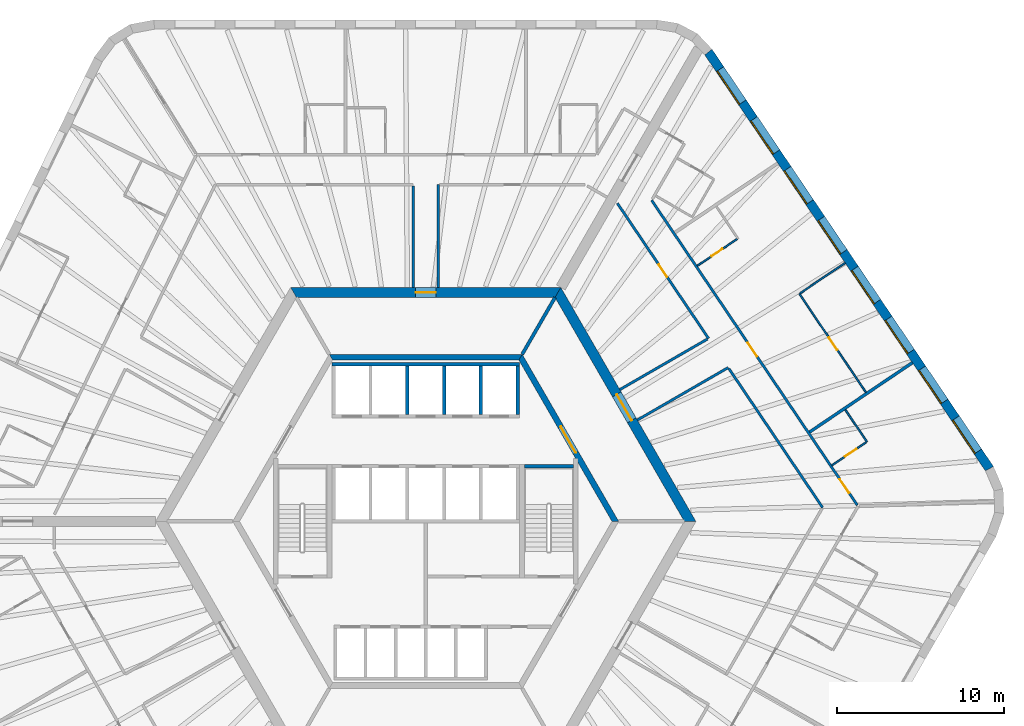
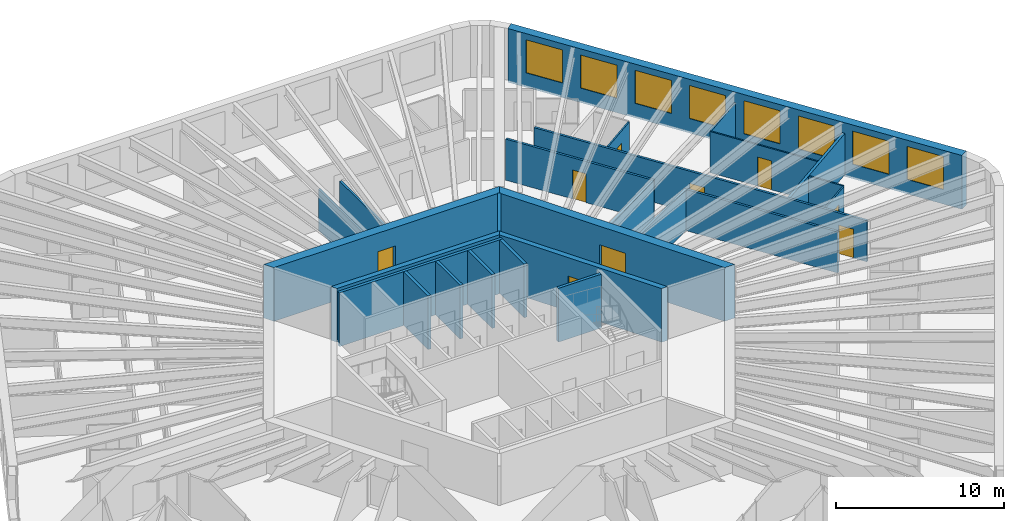
# One storey, part 9 of 11: 25 walls, 9 doors, 8 windows, 17 openings.
"""IFC4 building model written with IfcOpenShell, lengths in metres."""

import ifcopenshell
import ifcopenshell.guid

model = None  # the IFC model being written
_history = None  # IfcOwnerHistory: only IFC2X3 demands one
_inside = {}  # id of a spatial element -> (the spatial element, [elements in it])
_under = {}  # id of a project, library or spatial element -> (it, [spatial elements below it])
_declared = {}  # id of a project -> (the project, [libraries it declares])
_typed = {}  # id of a type object -> (the type object, [elements of that type])
_made_of = {}  # id of a material, layer set ... -> (it, [elements and type objects made of it])


def new_model(schema):
    """Start an empty IFC model of exactly this schema.

    Asked for "IFC4X3", IfcOpenShell would pick the latest addendum, in which some entities
    have other attributes; the version numbers below select the first issue.
    IFC2X3 requires an IfcOwnerHistory on every rooted entity: one is made here for all.
    """
    global model, _history
    if schema == "IFC4X3":
        model = ifcopenshell.file(schema_version=(4, 3, 0, 0))
    else:
        model = ifcopenshell.file(schema=schema)
    _inside.clear()
    _under.clear()
    _declared.clear()
    _typed.clear()
    _made_of.clear()
    _history = None
    if model.schema == "IFC2X3":
        org = make("IfcOrganization", Name="unknown")
        user = make(
            "IfcPersonAndOrganization",
            ThePerson=make("IfcPerson", FamilyName="unknown"),
            TheOrganization=org,
        )
        app = make(
            "IfcApplication",
            ApplicationDeveloper=org,
            Version="unknown",
            ApplicationFullName="unknown",
            ApplicationIdentifier="unknown",
        )
        _history = make(
            "IfcOwnerHistory",
            OwningUser=user,
            OwningApplication=app,
            ChangeAction="ADDED",
            CreationDate=0,
        )
    return model


def make(cls, **values):
    """One entity of the class cls with the attributes given. An attribute that is None is left unset."""
    return model.create_entity(
        cls, **{name: value for name, value in values.items() if value is not None}
    )


def rooted(cls, **values):
    """An entity with a GlobalId (a new one), such as an element, a storey or a relation."""
    return make(cls, GlobalId=ifcopenshell.guid.new(), OwnerHistory=_history, **values)


def si_unit(unit_type, name, prefix=None):
    """IfcSIUnit, for example si_unit("LENGTHUNIT", "METRE", prefix="MILLI")."""
    return make("IfcSIUnit", UnitType=unit_type, Prefix=prefix, Name=name)


def assignment(units):
    """IfcUnitAssignment: the units of a project."""
    return None if units is None else make("IfcUnitAssignment", Units=units)


def point(xyz):
    """IfcCartesianPoint."""
    return None if xyz is None else make("IfcCartesianPoint", Coordinates=xyz)


def direction(xyz):
    """IfcDirection."""
    return None if xyz is None else make("IfcDirection", DirectionRatios=xyz)


def frame(location, z_axis=None, x_axis=None):
    """IfcAxis2Placement3D, a coordinate frame: its origin and axes. An axis left out is left unset."""
    return make(
        "IfcAxis2Placement3D",
        Location=point(location),
        Axis=direction(z_axis),
        RefDirection=direction(x_axis),
    )


def frame_2d(location, x_axis=None):
    """IfcAxis2Placement2D, a coordinate frame in the plane: its origin and x axis."""
    return make(
        "IfcAxis2Placement2D", Location=point(location), RefDirection=direction(x_axis)
    )


def origin():
    """The frame at (0, 0, 0) with its axes left unset."""
    return frame((0.0, 0.0, 0.0))


def place(relative_to, where):
    """IfcLocalPlacement: puts the frame where relative to a parent placement (None: the world)."""
    return make(
        "IfcLocalPlacement", PlacementRelTo=relative_to, RelativePlacement=where
    )


def context(
    kind, dimensions, precision=None, world=None, true_north=None, identifier=None
):
    """IfcGeometricRepresentationContext, for example the 3D "Model" context."""
    return make(
        "IfcGeometricRepresentationContext",
        ContextIdentifier=identifier,
        ContextType=kind,
        CoordinateSpaceDimension=dimensions,
        Precision=precision,
        WorldCoordinateSystem=world,
        TrueNorth=true_north,
    )


def subcontext(parent, identifier, kind, view, scale=None):
    """IfcGeometricRepresentationSubContext, for example "Body" below "Model"."""
    return make(
        "IfcGeometricRepresentationSubContext",
        ContextIdentifier=identifier,
        ContextType=kind,
        ParentContext=parent,
        TargetScale=scale,
        TargetView=view,
    )


def project(units=None, contexts=None):
    """IfcProject with its units and contexts."""
    return rooted(
        "IfcProject",
        Name="project",
        RepresentationContexts=contexts,
        UnitsInContext=assignment(units),
    )


def spatial(cls, under=None, at=None, **own):
    """A site, building, storey or space (cls), placed at a placement, below another one or the project."""
    s = rooted(cls, ObjectPlacement=at, **own)
    if under is not None:
        _under.setdefault(under.id(), (under, []))[1].append(s)
    return s


def polyline(points):
    """IfcPolyline through the points."""
    return make("IfcPolyline", Points=[point(p) for p in points])


def profile(cls, at=None, kind="AREA", **sizes):
    """A parametric profile (cls). Its sizes go by their IFC names, for example OverallWidth=200.0."""
    return make(cls, ProfileType=kind, Position=at, **sizes)


def rectangle(**sizes):
    """IfcRectangleProfileDef."""
    return profile("IfcRectangleProfileDef", **sizes)


def outline(outer, holes=None, kind="AREA"):
    """IfcArbitraryClosedProfileDef: a profile drawn as a closed curve; with holes, ...WithVoids."""
    if holes is None:
        return make("IfcArbitraryClosedProfileDef", ProfileType=kind, OuterCurve=outer)
    return make(
        "IfcArbitraryProfileDefWithVoids",
        ProfileType=kind,
        OuterCurve=outer,
        InnerCurves=holes,
    )


def extrude(swept, where, along, depth):
    """IfcExtrudedAreaSolid: the profile swept, set in the frame where, extruded along a direction by depth."""
    return make(
        "IfcExtrudedAreaSolid",
        SweptArea=swept,
        Position=where,
        ExtrudedDirection=direction(along),
        Depth=depth,
    )


def shape(context_of_items, identifier, shape_type, items):
    """IfcShapeRepresentation: the items that make up one representation, for example the "Body"."""
    return make(
        "IfcShapeRepresentation",
        ContextOfItems=context_of_items,
        RepresentationIdentifier=identifier,
        RepresentationType=shape_type,
        Items=items,
    )


def material(Name=None, Category=None):
    """IfcMaterial."""
    return make("IfcMaterial", Name=Name, Category=Category)


def layer(
    of_material, thickness, ventilated=None, Name=None, Category=None, Priority=None
):
    """IfcMaterialLayer: one layer of a wall or slab, of a material (None: an air gap)."""
    return make(
        "IfcMaterialLayer",
        Material=of_material,
        LayerThickness=thickness,
        IsVentilated=ventilated,
        Name=Name,
        Category=Category,
        Priority=Priority,
    )


def layer_set(layers, Name=None):
    """IfcMaterialLayerSet."""
    return make("IfcMaterialLayerSet", MaterialLayers=layers, LayerSetName=Name)


def made_of(thing, what):
    """Note that an element or type object is made of a material, layer set ...; save() writes the relation."""
    if what is not None:
        _made_of.setdefault(what.id(), (what, []))[1].append(thing)
    return thing


def type_object(cls, material=None, **own):
    """A type object (cls), such as IfcWallType, which elements share."""
    return made_of(rooted(cls, **own), material)


def element(
    cls,
    number,
    at=None,
    inside=None,
    cuts=None,
    type_object=None,
    material=None,
    context=None,
    identifier="Body",
    shape_type=None,
    held_by="IfcProductDefinitionShape",
    body=None,
    shapes=None,
    **own,
):
    """One element of the class cls, such as IfcWall. Its Tag is "e" and its number.

    at: its placement. inside: the storey or other place that contains it. cuts: it is an
    opening in that element (IfcRelVoidsElement). A single representation is given by context,
    identifier, shape_type and body (its items); several are given by shapes. held_by: the class
    of the entity that holds the representations. save() writes the other relations.
    """
    e = rooted(cls, Tag="e%d" % number, ObjectPlacement=at, **own)
    if body is not None:
        shapes = [shape(context, identifier, shape_type, body)]
    if shapes is not None:
        e.Representation = make(held_by, Representations=shapes)
    if inside is not None:
        _inside.setdefault(inside.id(), (inside, []))[1].append(e)
    if cuts is not None:
        rooted(
            "IfcRelVoidsElement", RelatingBuildingElement=cuts, RelatedOpeningElement=e
        )
    if type_object is not None:
        _typed.setdefault(type_object.id(), (type_object, []))[1].append(e)
    return made_of(e, material)


def fill(opening, filler):
    """IfcRelFillsElement: the door or window that sits in an opening."""
    return rooted(
        "IfcRelFillsElement",
        RelatingOpeningElement=opening,
        RelatedBuildingElement=filler,
    )


def aggregate(whole, parts):
    """IfcRelAggregates: a whole, such as a stair, and the parts it consists of."""
    return rooted("IfcRelAggregates", RelatingObject=whole, RelatedObjects=parts)


def save(model, path):
    """Write the relations noted so far, then the file.

    IfcRelAggregates (storeys below a building ...), IfcRelContainedInSpatialStructure (elements
    in a storey), IfcRelDefinesByType, IfcRelAssociatesMaterial and IfcRelDeclares: one each for
    every whole, place, type object, material and project.
    """
    for whole, parts in _under.values():
        aggregate(whole, parts)
    for where, things in _inside.values():
        rooted(
            "IfcRelContainedInSpatialStructure",
            RelatedElements=things,
            RelatingStructure=where,
        )
    for kind, things in _typed.values():
        rooted("IfcRelDefinesByType", RelatedObjects=things, RelatingType=kind)
    for what, things in _made_of.values():
        rooted("IfcRelAssociatesMaterial", RelatedObjects=things, RelatingMaterial=what)
    for by, libraries in _declared.values():
        rooted("IfcRelDeclares", RelatingContext=by, RelatedDefinitions=libraries)
    model.write(path)


model = new_model("IFC4")

# Units and contexts
model_context = context("Model", 3, precision=1e-05, world=origin(), true_north=direction((0.0, 1.0)))
body_context = subcontext(model_context, "Body", "Model", "MODEL_VIEW")
ifc_project = project(units=[si_unit("LENGTHUNIT", "METRE"), si_unit("AREAUNIT", "SQUARE_METRE"), si_unit("VOLUMEUNIT", "CUBIC_METRE"), si_unit("PLANEANGLEUNIT", "RADIAN"), si_unit("MASSUNIT", "GRAM", prefix="KILO")], contexts=[model_context])

# Site, building, storey
site_placement = place(None, origin())
site = spatial("IfcSite", under=ifc_project, at=site_placement, CompositionType="ELEMENT")
building_placement = place(site_placement, origin())
building = spatial("IfcBuilding", under=site, at=building_placement, Name="Tarnside Tower", CompositionType="ELEMENT")
storey_placement = place(building_placement, frame((0.0, 0.0, 41.39990234375)))
storey = spatial("IfcBuildingStorey", under=building, at=storey_placement, Name="L07", CompositionType="ELEMENT", Elevation=41.39990234375)

# Wall
ifc_material_1 = material(Name="Gypsum board partition on steel studs", Category="steel")
ifc_layer_1 = layer(ifc_material_1, 0.10009765625)
ifc_layer_set_1 = layer_set([ifc_layer_1], Name="Bathroom wall 100")
wall_type_1 = type_object("IfcWallType", Name="Bathroom wall 100", PredefinedType="PARTITIONING", material=ifc_layer_set_1)
wall_1_placement = place(storey_placement, frame((25.106689453125, 6.680419921875, 0.0), z_axis=(0.0, 0.0, 1.0), x_axis=(0.559204176839, -0.829029968461, 0.0)))
element("IfcWall", 1, at=wall_1_placement, inside=storey, type_object=wall_type_1, Name="Bathroom wall 01142", PredefinedType="PARTITIONING", context=body_context, shape_type="SweptSolid", body=[
    extrude(rectangle(XDim=2.31005859375, YDim=0.10009765625, at=frame_2d((1.155029296875, 0.0))), origin(), (0.0, 0.0, 1.0), 2.98779296875),
])

# Wall, opening, door
wall_2_placement = place(storey_placement, frame((26.35693359375, 4.7373046875, 0.0), z_axis=(0.0, 0.0, 1.0), x_axis=(-0.829094460354, -0.559108554585, 0.0)))
wall_2 = element("IfcWall", 2, at=wall_2_placement, inside=storey, type_object=wall_type_1, Name="Bathroom wall 01143", PredefinedType="PARTITIONING", context=body_context, shape_type="SweptSolid", body=[
    extrude(rectangle(XDim=2.47509765625, YDim=0.10009765625, at=frame_2d((1.237548828125, 0.0))), origin(), (0.0, 0.0, 1.0), 2.98779296875),
])
opening_1_placement = place(wall_2_placement, frame((0.719970703125, 0.0, 0.0)))
opening_1 = element("IfcOpeningElement", 3, at=opening_1_placement, cuts=wall_2, Name="Opening D-B1", PredefinedType="OPENING", context=body_context, shape_type="SweptSolid", body=[
    extrude(rectangle(XDim=0.800048828125, YDim=2.10009765625, at=frame_2d((0.39990234375, 1.050048828125))), frame((0.0, 0.06005859375, 0.0), z_axis=(0.0, -1.0, 0.0), x_axis=(1.0, 0.0, 0.0)), (0.0, 0.0, 1.0), 0.1201171875),
])
ifc_material_2 = material(Name="Timber door leaf", Category="wood")
door_type_1 = type_object("IfcDoorType", Name="Bathroom door 800", OperationType="NOTDEFINED", PredefinedType="DOOR", material=ifc_material_2)
door_1_placement = place(opening_1_placement, origin())
door_1 = element("IfcDoor", 4, at=door_1_placement, inside=storey, type_object=door_type_1, Name="Bathroom door 01036", OperationType="SINGLE_SWING_RIGHT", OverallHeight=2.10009765625, OverallWidth=0.800048828125, PredefinedType="DOOR", context=body_context, shape_type="SweptSolid", body=[
    extrude(rectangle(XDim=0.800048828125, YDim=2.10009765625, at=frame_2d((0.39990234375, 1.050048828125))), frame((0.0, 0.02490234375, 0.0), z_axis=(0.0, -1.0, 0.0), x_axis=(1.0, 0.0, 0.0)), (0.0, 0.0, 1.0), 0.050048828125),
])
fill(opening_1, door_1)

wall_3_placement = place(storey_placement, frame((18.63623046875, 16.899169921875, 0.0), z_axis=(0.0, 0.0, 1.0), x_axis=(-0.82904649496, -0.559179675234, 0.0)))
wall_3 = element("IfcWall", 5, at=wall_3_placement, inside=storey, type_object=wall_type_1, Name="Bathroom wall 01148", PredefinedType="PARTITIONING", context=body_context, shape_type="SweptSolid", body=[
    extrude(rectangle(XDim=2.875, YDim=0.10009765625, at=frame_2d((1.4375, 0.0))), origin(), (0.0, 0.0, 1.0), 2.98779296875),
])
opening_2_placement = place(wall_3_placement, frame((1.050048828125, 0.0, 0.0)))
opening_2 = element("IfcOpeningElement", 6, at=opening_2_placement, cuts=wall_3, Name="Opening D-B1", PredefinedType="OPENING", context=body_context, shape_type="SweptSolid", body=[
    extrude(rectangle(XDim=0.800048828125, YDim=2.10009765625, at=frame_2d((0.39990234375, 1.050048828125))), frame((0.0, 0.06005859375, 0.0), z_axis=(0.0, -1.0, 0.0), x_axis=(1.0, 0.0, 0.0)), (0.0, 0.0, 1.0), 0.1201171875),
])
door_2_placement = place(opening_2_placement, origin())
door_2 = element("IfcDoor", 7, at=door_2_placement, inside=storey, type_object=door_type_1, Name="Bathroom door 01038", OperationType="SINGLE_SWING_LEFT", OverallHeight=2.10009765625, OverallWidth=0.800048828125, PredefinedType="DOOR", context=body_context, shape_type="SweptSolid", body=[
    extrude(rectangle(XDim=0.800048828125, YDim=2.10009765625, at=frame_2d((0.39990234375, 1.050048828125))), frame((0.0, 0.02490234375, 0.0), z_axis=(0.0, -1.0, 0.0), x_axis=(1.0, 0.0, 0.0)), (0.0, 0.0, 1.0), 0.050048828125),
])
fill(opening_2, door_2)

ifc_material_3 = material(Name="Concrete C50/60", Category="concrete")
ifc_layer_2 = layer(ifc_material_3, 0.35009765625)
ifc_layer_set_2 = layer_set([ifc_layer_2], Name="Core block wall 350 C50/60")
wall_type_2 = type_object("IfcWallType", Name="Core block wall 350 C50/60", PredefinedType="SHEAR", material=ifc_layer_set_2)
wall_4_placement = place(storey_placement, frame((11.344970703125, 0.0, -0.14990234375), z_axis=(0.0, 0.0, 1.0), x_axis=(-0.499995046907, 0.866028263435, 0.0)))
wall_4 = element("IfcWall", 8, at=wall_4_placement, inside=storey, type_object=wall_type_2, Name="L07 core block wall face 6", PredefinedType="SHEAR", context=body_context, shape_type="SweptSolid", body=[
    extrude(outline(polyline([(-0.10107421875, -0.175048828125), (11.44580078125, -0.175048828125), (11.24365234375, 0.175048828125), (0.10107421875, 0.175048828125), (-0.10107421875, -0.175048828125)])), origin(), (0.0, 0.0, 1.0), 3.89990234375),
])
opening_3_placement = place(wall_4_placement, frame((4.74365234375, 0.0, 0.14990234375)))
opening_3 = element("IfcOpeningElement", 9, at=opening_3_placement, cuts=wall_4, Name="Opening CD-LOB", PredefinedType="OPENING", context=body_context, shape_type="SweptSolid", body=[
    extrude(rectangle(XDim=1.800048828125, YDim=2.39990234375, at=frame_2d((0.89990234375, 1.199951171875))), frame((0.0, 0.18505859375, 0.0), z_axis=(0.0, -1.0, 0.0), x_axis=(1.0, 0.0, 0.0)), (0.0, 0.0, 1.0), 0.3701171875),
])
ifc_material_4 = material(Name="Steel fire door", Category="steel")
door_type_2 = type_object("IfcDoorType", Name="Lobby double door FD30S 1800x2400", OperationType="NOTDEFINED", PredefinedType="DOOR", material=ifc_material_4)
door_3_placement = place(opening_3_placement, origin())
door_3 = element("IfcDoor", 10, at=door_3_placement, inside=storey, type_object=door_type_2, Name="L07 lobby block door P2", OperationType="DOUBLE_DOOR_SINGLE_SWING", OverallHeight=2.39990234375, OverallWidth=1.800048828125, PredefinedType="DOOR", context=body_context, shape_type="SweptSolid", body=[
    extrude(rectangle(XDim=1.800048828125, YDim=2.39990234375, at=frame_2d((0.89990234375, 1.199951171875))), frame((0.0, 0.02490234375, 0.0), z_axis=(0.0, -1.0, 0.0), x_axis=(1.0, 0.0, 0.0)), (0.0, 0.0, 1.0), 0.050048828125),
])
fill(opening_3, door_3)

# Wall
wall_5_placement = place(storey_placement, frame((5.672607421875, 9.824951171875, -0.14990234375), z_axis=(0.0, 0.0, 1.0), x_axis=(-1.0, 0.0, 0.0)))
element("IfcWall", 11, at=wall_5_placement, inside=storey, type_object=wall_type_2, Name="L07 core block wall face 1", PredefinedType="SHEAR", context=body_context, shape_type="SweptSolid", body=[
    extrude(outline(polyline([(-0.10107421875, -0.175048828125), (11.4462890625, -0.175048828125), (11.244140625, 0.175048828125), (0.10107421875, 0.175048828125), (-0.10107421875, -0.175048828125)])), origin(), (0.0, 0.0, 1.0), 3.89990234375),
])

# Wall, opening, door
ifc_material_5 = material(Name="Concrete C80/95", Category="concrete")
ifc_layer_3 = layer(ifc_material_5, 0.60009765625)
ifc_layer_set_3 = layer_set([ifc_layer_3], Name="Core wall Z1 600 C80/95")
wall_type_3 = type_object("IfcWallType", Name="Core wall Z1 600 C80/95", PredefinedType="SHEAR", material=ifc_layer_set_3)
wall_6_placement = place(storey_placement, frame((15.8193359375, 0.0, -0.14990234375), z_axis=(0.0, 0.0, 1.0), x_axis=(-0.499999880136, 0.866025472988, 0.0)))
wall_6 = element("IfcWall", 12, at=wall_6_placement, inside=storey, type_object=wall_type_3, Name="L07 core wall face 6", PredefinedType="SHEAR", context=body_context, shape_type="SweptSolid", body=[
    extrude(outline(polyline([(-0.17333984375, -0.300048828125), (15.99267578125, -0.300048828125), (15.64599609375, 0.300048828125), (0.17333984375, 0.300048828125), (-0.17333984375, -0.300048828125)])), origin(), (0.0, 0.0, 1.0), 3.89990234375),
])
opening_4_placement = place(wall_6_placement, frame((6.980712890625, 0.0, 0.14990234375)))
opening_4 = element("IfcOpeningElement", 13, at=opening_4_placement, cuts=wall_6, Name="Opening CD-LOB", PredefinedType="OPENING", context=body_context, shape_type="SweptSolid", body=[
    extrude(rectangle(XDim=1.800048828125, YDim=2.39990234375, at=frame_2d((0.89990234375, 1.199951171875))), frame((0.0, 0.31005859375, 0.0), z_axis=(0.0, -1.0, 0.0), x_axis=(1.0, 0.0, 0.0)), (0.0, 0.0, 1.0), 0.6201171875),
])
door_4_placement = place(opening_4_placement, origin())
door_4 = element("IfcDoor", 14, at=door_4_placement, inside=storey, type_object=door_type_2, Name="L07 core door P2", OperationType="DOUBLE_DOOR_SINGLE_SWING", OverallHeight=2.39990234375, OverallWidth=1.800048828125, PredefinedType="DOOR", context=body_context, shape_type="SweptSolid", body=[
    extrude(rectangle(XDim=1.800048828125, YDim=2.39990234375, at=frame_2d((0.89990234375, 1.199951171875))), frame((0.0, 0.02490234375, 0.0), z_axis=(0.0, -1.0, 0.0), x_axis=(1.0, 0.0, 0.0)), (0.0, 0.0, 1.0), 0.050048828125),
])
fill(opening_4, door_4)

wall_7_placement = place(storey_placement, frame((7.90966796875, 13.699951171875, -0.14990234375), z_axis=(0.0, 0.0, 1.0), x_axis=(-1.0, 0.0, 0.0)))
wall_7 = element("IfcWall", 15, at=wall_7_placement, inside=storey, type_object=wall_type_3, Name="L07 core wall face 1", PredefinedType="SHEAR", context=body_context, shape_type="SweptSolid", body=[
    extrude(outline(polyline([(-0.17333984375, -0.300048828125), (15.99267578125, -0.300048828125), (15.64599609375, 0.300048828125), (0.17333984375, 0.300048828125), (-0.17333984375, -0.300048828125)])), origin(), (0.0, 0.0, 1.0), 3.89990234375),
])
opening_5_placement = place(wall_7_placement, frame((7.309814453125, 0.0, 0.14990234375)))
opening_5 = element("IfcOpeningElement", 16, at=opening_5_placement, cuts=wall_7, Name="Opening CD-RSR", PredefinedType="OPENING", context=body_context, shape_type="SweptSolid", body=[
    extrude(rectangle(XDim=1.199951171875, YDim=2.39990234375, at=frame_2d((0.60009765625, 1.199951171875))), frame((0.0, 0.31005859375, 0.0), z_axis=(0.0, -1.0, 0.0), x_axis=(1.0, 0.0, 0.0)), (0.0, 0.0, 1.0), 0.6201171875),
])
door_type_3 = type_object("IfcDoorType", Name="Riser door FD60 1200x2400", OperationType="NOTDEFINED", PredefinedType="DOOR", material=ifc_material_4)
door_5_placement = place(opening_5_placement, origin())
door_5 = element("IfcDoor", 17, at=door_5_placement, inside=storey, type_object=door_type_3, Name="L07 core door S5", OperationType="SINGLE_SWING_LEFT", OverallHeight=2.39990234375, OverallWidth=1.199951171875, PredefinedType="DOOR", context=body_context, shape_type="SweptSolid", body=[
    extrude(rectangle(XDim=1.199951171875, YDim=2.39990234375, at=frame_2d((0.60009765625, 1.199951171875))), frame((0.0, 0.02490234375, 0.0), z_axis=(0.0, -1.0, 0.0), x_axis=(1.0, 0.0, 0.0)), (0.0, 0.0, 1.0), 0.050048828125),
])
fill(opening_5, door_5)

# Walls
ifc_layer_4 = layer(ifc_material_1, 0.14990234375)
ifc_layer_set_4 = layer_set([ifc_layer_4], Name="Corridor wall 150 EI 60")
wall_type_4 = type_object("IfcWallType", Name="Corridor wall 150 EI 60", PredefinedType="PARTITIONING", material=ifc_layer_set_4)
wall_8_placement = place(storey_placement, frame((-0.75, 20.074951171875, 0.0), z_axis=(0.0, 0.0, 1.0), x_axis=(0.0, -1.0, 0.0)))
element("IfcWall", 18, at=wall_8_placement, inside=storey, type_object=wall_type_4, Name="Corridor wall 01019", PredefinedType="PARTITIONING", context=body_context, shape_type="SweptSolid", body=[
    extrude(rectangle(XDim=6.074951171875, YDim=0.14990234375, at=frame_2d((3.03759765625, 0.0))), origin(), (0.0, 0.0, 1.0), 2.98779296875),
])
wall_9_placement = place(storey_placement, frame((0.75, 14.0, 0.0), z_axis=(0.0, 0.0, 1.0), x_axis=(0.0, 1.0, 0.0)))
element("IfcWall", 19, at=wall_9_placement, inside=storey, type_object=wall_type_4, Name="Corridor wall 01020", PredefinedType="PARTITIONING", context=body_context, shape_type="SweptSolid", body=[
    extrude(rectangle(XDim=6.14990234375, YDim=0.14990234375, at=frame_2d((3.074951171875, 0.0))), origin(), (0.0, 0.0, 1.0), 2.98779296875),
])

# Wall, openings, doors
wall_10_placement = place(storey_placement, frame((25.820556640625, 0.972412109375, 0.0), z_axis=(0.0, 0.0, 1.0), x_axis=(-0.559193816298, 0.829036956845, 0.0)))
wall_10 = element("IfcWall", 20, at=wall_10_placement, inside=storey, type_object=wall_type_4, Name="Corridor wall 01059", PredefinedType="PARTITIONING", context=body_context, shape_type="SweptSolid", body=[
    extrude(rectangle(XDim=22.001708984375, YDim=0.14990234375, at=frame_2d((11.0009765625, 0.0))), origin(), (0.0, 0.0, 1.0), 2.98779296875),
])
opening_6_placement = place(wall_10_placement, frame((0.868896484375, 0.0, 0.0)))
opening_6 = element("IfcOpeningElement", 21, at=opening_6_placement, cuts=wall_10, Name="Opening D-E1", PredefinedType="OPENING", context=body_context, shape_type="SweptSolid", body=[
    extrude(rectangle(XDim=1.0, YDim=2.10009765625, at=frame_2d((0.5, 1.050048828125))), frame((0.0, 0.0849609375, 0.0), z_axis=(0.0, -1.0, 0.0), x_axis=(1.0, 0.0, 0.0)), (0.0, 0.0, 1.0), 0.169921875),
])
opening_7_placement = place(wall_10_placement, frame((10.721435546875, 0.0, 0.0)))
opening_7 = element("IfcOpeningElement", 22, at=opening_7_placement, cuts=wall_10, Name="Opening D-E1", PredefinedType="OPENING", context=body_context, shape_type="SweptSolid", body=[
    extrude(rectangle(XDim=1.0, YDim=2.10009765625, at=frame_2d((0.5, 1.050048828125))), frame((0.0, 0.0849609375, 0.0), z_axis=(0.0, -1.0, 0.0), x_axis=(1.0, 0.0, 0.0)), (0.0, 0.0, 1.0), 0.169921875),
])
door_type_4 = type_object("IfcDoorType", Name="Unit entrance door 1000 FD30S", OperationType="NOTDEFINED", PredefinedType="DOOR", material=ifc_material_2)
door_6_placement = place(opening_6_placement, origin())
door_6 = element("IfcDoor", 23, at=door_6_placement, inside=storey, type_object=door_type_4, Name="Unit door 01035", OperationType="SINGLE_SWING_RIGHT", OverallHeight=2.10009765625, OverallWidth=1.0, PredefinedType="DOOR", context=body_context, shape_type="SweptSolid", body=[
    extrude(rectangle(XDim=1.0, YDim=2.10009765625, at=frame_2d((0.5, 1.050048828125))), frame((0.0, 0.02490234375, 0.0), z_axis=(0.0, -1.0, 0.0), x_axis=(1.0, 0.0, 0.0)), (0.0, 0.0, 1.0), 0.050048828125),
])
fill(opening_6, door_6)
door_7_placement = place(opening_7_placement, origin())
door_7 = element("IfcDoor", 24, at=door_7_placement, inside=storey, type_object=door_type_4, Name="Unit door 01037", OperationType="SINGLE_SWING_RIGHT", OverallHeight=2.10009765625, OverallWidth=1.0, PredefinedType="DOOR", context=body_context, shape_type="SweptSolid", body=[
    extrude(rectangle(XDim=1.0, YDim=2.10009765625, at=frame_2d((0.5, 1.050048828125))), frame((0.0, 0.02490234375, 0.0), z_axis=(0.0, -1.0, 0.0), x_axis=(1.0, 0.0, 0.0)), (0.0, 0.0, 1.0), 0.050048828125),
])
fill(opening_7, door_7)

# Walls
wall_11_placement = place(storey_placement, frame((12.663818359375, 6.065673828125, 0.0), z_axis=(0.0, 0.0, 1.0), x_axis=(0.866036561919, 0.499980673046, 0.0)))
element("IfcWall", 25, at=wall_11_placement, inside=storey, type_object=wall_type_4, Name="Corridor wall 01068", PredefinedType="PARTITIONING", context=body_context, shape_type="SweptSolid", body=[
    extrude(rectangle(XDim=6.274658203125, YDim=0.14990234375, at=frame_2d((3.13720703125, 0.0))), origin(), (0.0, 0.0, 1.0), 2.98779296875),
])
wall_12_placement = place(storey_placement, frame((18.139892578125, 9.140625, 0.0), z_axis=(0.0, 0.0, 1.0), x_axis=(0.55918799196, -0.829040885389, 0.0)))
element("IfcWall", 26, at=wall_12_placement, inside=storey, type_object=wall_type_4, Name="Corridor wall 01069", PredefinedType="PARTITIONING", context=body_context, shape_type="SweptSolid", body=[
    extrude(rectangle(XDim=10.025146484375, YDim=0.14990234375, at=frame_2d((5.0126953125, 0.0))), origin(), (0.0, 0.0, 1.0), 2.98779296875),
])

# Wall, opening, door
wall_13_placement = place(storey_placement, frame((11.464599609375, 19.037109375, 0.0), z_axis=(0.0, 0.0, 1.0), x_axis=(0.559196064773, -0.829035440221, 0.0)))
wall_13 = element("IfcWall", 27, at=wall_13_placement, inside=storey, type_object=wall_type_4, Name="Corridor wall 01075", PredefinedType="PARTITIONING", context=body_context, shape_type="SweptSolid", body=[
    extrude(rectangle(XDim=9.757080078125, YDim=0.14990234375, at=frame_2d((4.87841796875, 0.0))), origin(), (0.0, 0.0, 1.0), 2.98779296875),
])
opening_8_placement = place(wall_13_placement, frame((4.428466796875, 0.0, 0.0)))
opening_8 = element("IfcOpeningElement", 28, at=opening_8_placement, cuts=wall_13, Name="Opening D-S1", PredefinedType="OPENING", context=body_context, shape_type="SweptSolid", body=[
    extrude(rectangle(XDim=0.89990234375, YDim=2.10009765625, at=frame_2d((0.449951171875, 1.050048828125))), frame((0.0, 0.0849609375, 0.0), z_axis=(0.0, -1.0, 0.0), x_axis=(1.0, 0.0, 0.0)), (0.0, 0.0, 1.0), 0.169921875),
])
door_type_5 = type_object("IfcDoorType", Name="Service room door 900 FD30S", OperationType="NOTDEFINED", PredefinedType="DOOR", material=ifc_material_2)
door_8_placement = place(opening_8_placement, origin())
door_8 = element("IfcDoor", 29, at=door_8_placement, inside=storey, type_object=door_type_5, Name="Service door 01050", OperationType="SINGLE_SWING_RIGHT", OverallHeight=2.10009765625, OverallWidth=0.89990234375, PredefinedType="DOOR", context=body_context, shape_type="SweptSolid", body=[
    extrude(rectangle(XDim=0.89990234375, YDim=2.10009765625, at=frame_2d((0.449951171875, 1.050048828125))), frame((0.0, 0.02490234375, 0.0), z_axis=(0.0, -1.0, 0.0), x_axis=(1.0, 0.0, 0.0)), (0.0, 0.0, 1.0), 0.050048828125),
])
fill(opening_8, door_8)

# Walls
wall_14_placement = place(storey_placement, frame((16.85546875, 10.91064453125, 0.0), z_axis=(0.0, 0.0, 1.0), x_axis=(-0.866020343444, -0.500008764664, 0.0)))
element("IfcWall", 30, at=wall_14_placement, inside=storey, type_object=wall_type_4, Name="Corridor wall 01076", PredefinedType="PARTITIONING", context=body_context, shape_type="SweptSolid", body=[
    extrude(rectangle(XDim=6.052734375, YDim=0.14990234375, at=frame_2d((3.0263671875, 0.0))), origin(), (0.0, 0.0, 1.0), 2.98779296875),
])
ifc_layer_5 = layer(ifc_material_1, 0.179931640625)
ifc_layer_set_5 = layer_set([ifc_layer_5], Name="Demising wall 180 EI 60")
wall_type_5 = type_object("IfcWallType", Name="Demising wall 180 EI 60", PredefinedType="PARTITIONING", material=ifc_layer_set_5)
wall_15_placement = place(storey_placement, frame((29.11865234375, 9.4951171875, 0.0), z_axis=(0.0, 0.0, 1.0), x_axis=(-0.829038452737, -0.559191598545, 0.0)))
element("IfcWall", 31, at=wall_15_placement, inside=storey, type_object=wall_type_5, Name="Demising wall 01144", PredefinedType="PARTITIONING", context=body_context, shape_type="SweptSolid", body=[
    extrude(rectangle(XDim=7.42529296875, YDim=0.179931640625, at=frame_2d((3.712646484375, 0.0))), origin(), (0.0, 0.0, 1.0), 2.98779296875),
])
ifc_material_6 = material(Name="Concrete C40/50", Category="concrete")
ifc_layer_6 = layer(ifc_material_6, 0.199951171875)
ifc_layer_set_6 = layer_set([ifc_layer_6], Name="Lift shaft wall 200 C40/50")
wall_type_6 = type_object("IfcWallType", Name="Lift shaft wall 200 C40/50", PredefinedType="SHEAR", material=ifc_layer_set_6)
wall_16_placement = place(storey_placement, frame((-5.60009765625, 9.39990234375, -0.25), z_axis=(0.0, 0.0, 1.0), x_axis=(1.0, 0.0, 0.0)))
element("IfcWall", 32, at=wall_16_placement, inside=storey, type_object=wall_type_6, Name="L07 lift shaft back wall R1", PredefinedType="SHEAR", context=body_context, shape_type="SweptSolid", body=[
    extrude(rectangle(XDim=11.2001953125, YDim=0.199951171875, at=frame_2d((5.60009765625, 0.0))), origin(), (0.0, 0.0, 1.0), 3.900146484375),
])
for number, where, z_axis, x_axis, name in (
    (33, (-1.10009765625, 6.39990234375, -0.25), (0.0, 0.0, 1.0), (0.0, 1.0, 0.0), "L07 lift shaft partition R13"),
    (34, (1.10009765625, 6.39990234375, -0.25), (0.0, 0.0, 1.0), (0.0, 1.0, 0.0), "L07 lift shaft partition R14"),
    (35, (3.300048828125, 6.39990234375, -0.25), (0.0, 0.0, 1.0), (0.0, 1.0, 0.0), "L07 lift shaft partition R15"),
    (36, (5.5, 6.39990234375, -0.25), (0.0, 0.0, 1.0), (0.0, 1.0, 0.0), "L07 lift shaft partition R16"),
):
    element("IfcWall", number, at=place(storey_placement, frame(where, z_axis=z_axis, x_axis=x_axis)), inside=storey, type_object=wall_type_6, Name=name, PredefinedType="SHEAR", context=body_context, shape_type="SweptSolid", body=[
        extrude(rectangle(XDim=2.900146484375, YDim=0.199951171875, at=frame_2d((1.4501953125, 0.0))), origin(), (0.0, 0.0, 1.0), 3.900146484375),
    ])
wall_17_placement = place(storey_placement, frame((5.7734375, 10.0, -0.14990234375), z_axis=(0.0, 0.0, 1.0), x_axis=(0.500038251005, 0.86600331843, 0.0)))
element("IfcWall", 37, at=wall_17_placement, inside=storey, type_object=wall_type_6, Name="L07 core partition AR60", PredefinedType="SHEAR", context=body_context, shape_type="SweptSolid", body=[
    extrude(rectangle(XDim=3.926025390625, YDim=0.199951171875, at=frame_2d((1.962890625, 0.0))), origin(), (0.0, 0.0, 1.0), 3.89990234375),
])
wall_18_placement = place(storey_placement, frame((5.89990234375, 3.300048828125, -0.25), z_axis=(0.0, 0.0, 1.0), x_axis=(1.0, 0.0, 0.0)))
element("IfcWall", 38, at=wall_18_placement, inside=storey, type_object=wall_type_6, Name="L07 stair 1 enclosure cap wall n", PredefinedType="SHEAR", context=body_context, shape_type="SweptSolid", body=[
    extrude(rectangle(XDim=2.9501953125, YDim=0.199951171875, at=frame_2d((1.47509765625, 0.0))), origin(), (0.0, 0.0, 1.0), 3.900146484375),
])

# Wall, opening, door
ifc_layer_7 = layer(ifc_material_1, 0.10009765625)
ifc_layer_set_7 = layer_set([ifc_layer_7], Name="Partition 100")
wall_type_7 = type_object("IfcWallType", Name="Partition 100", PredefinedType="PARTITIONING", material=ifc_layer_set_7)
wall_19_placement = place(storey_placement, frame((26.33251953125, 7.724365234375, 0.0), z_axis=(0.0, 0.0, 1.0), x_axis=(-0.559185029686, 0.829042883435, 0.0)))
wall_19 = element("IfcWall", 39, at=wall_19_placement, inside=storey, type_object=wall_type_7, Name="Partition wall 01149", PredefinedType="PARTITIONING", context=body_context, shape_type="SweptSolid", body=[
    extrude(rectangle(XDim=7.110107421875, YDim=0.10009765625, at=frame_2d((3.55517578125, 0.0))), origin(), (0.0, 0.0, 1.0), 2.98779296875),
])
opening_9_placement = place(wall_19_placement, frame((3.06005859375, 0.0, 0.0)))
opening_9 = element("IfcOpeningElement", 40, at=opening_9_placement, cuts=wall_19, Name="Opening D-I1", PredefinedType="OPENING", context=body_context, shape_type="SweptSolid", body=[
    extrude(rectangle(XDim=0.89990234375, YDim=2.10009765625, at=frame_2d((0.449951171875, 1.050048828125))), frame((0.0, 0.06005859375, 0.0), z_axis=(0.0, -1.0, 0.0), x_axis=(1.0, 0.0, 0.0)), (0.0, 0.0, 1.0), 0.1201171875),
])
door_type_6 = type_object("IfcDoorType", Name="Internal door 900", OperationType="NOTDEFINED", PredefinedType="DOOR", material=ifc_material_2)
door_9_placement = place(opening_9_placement, origin())
door_9 = element("IfcDoor", 41, at=door_9_placement, inside=storey, type_object=door_type_6, Name="Internal door 01039", OperationType="SINGLE_SWING_RIGHT", OverallHeight=2.10009765625, OverallWidth=0.89990234375, PredefinedType="DOOR", context=body_context, shape_type="SweptSolid", body=[
    extrude(rectangle(XDim=0.89990234375, YDim=2.10009765625, at=frame_2d((0.449951171875, 1.050048828125))), frame((0.0, 0.02490234375, 0.0), z_axis=(0.0, -1.0, 0.0), x_axis=(1.0, 0.0, 0.0)), (0.0, 0.0, 1.0), 0.050048828125),
])
fill(opening_9, door_9)

# Wall
wall_20_placement = place(storey_placement, frame((22.39794921875, 13.646728515625, 0.0), z_axis=(0.0, 0.0, 1.0), x_axis=(0.829033253898, 0.55919930609, 0.0)))
element("IfcWall", 42, at=wall_20_placement, inside=storey, type_object=wall_type_7, Name="Partition wall 01150", PredefinedType="PARTITIONING", context=body_context, shape_type="SweptSolid", body=[
    extrude(rectangle(XDim=3.25, YDim=0.10009765625, at=frame_2d((1.625, 0.0))), origin(), (0.0, 0.0, 1.0), 2.98779296875),
])

# Wall, openings, windows
ifc_material_7 = material(Name="Facing brick", Category="masonry")
ifc_layer_8 = layer(ifc_material_7, 0.10205078125)
ifc_material_8 = material(Name="Concrete C60/75 precast", Category="concrete")
ifc_layer_9 = layer(ifc_material_8, 0.347900390625)
ifc_material_9 = material(Name="Mineral wool insulation")
ifc_layer_10 = layer(ifc_material_9, 0.10009765625)
ifc_layer_set_8 = layer_set([ifc_layer_8, ifc_layer_9, ifc_layer_10], Name="Tube wall 550 brick faced")
wall_type_8 = type_object("IfcWallType", Name="Tube wall 550 brick faced", PredefinedType="SOLIDWALL", material=ifc_layer_set_8)
wall_21_placement = place(storey_placement, frame((33.72802734375, 3.153076171875, -0.14990234375), z_axis=(0.0, 0.0, 1.0), x_axis=(-0.559192411416, 0.82903790445, 0.0)))
wall_21 = element("IfcWall", 43, at=wall_21_placement, inside=storey, type_object=wall_type_8, Name="Tube wall L07 F6 flush 20", PredefinedType="SOLIDWALL", context=body_context, shape_type="SweptSolid", body=[
    extrude(outline(polyline([(-0.025634765625, -0.27490234375), (30.09326171875, -0.27490234375), (30.04833984375, 0.27490234375), (0.025634765625, 0.27490234375), (-0.025634765625, -0.27490234375)])), origin(), (0.0, 0.0, 1.0), 3.89990234375),
])
opening_10_placement = place(wall_21_placement, frame((1.235595703125, 0.0, 1.050048828125)))
opening_10 = element("IfcOpeningElement", 44, at=opening_10_placement, cuts=wall_21, Name="Opening WH", PredefinedType="OPENING", context=body_context, shape_type="SweptSolid", body=[
    extrude(rectangle(XDim=2.39990234375, YDim=2.39990234375, at=frame_2d((1.199951171875, 1.199951171875))), frame((0.0, 0.28515625, 0.0), z_axis=(0.0, -1.0, 0.0), x_axis=(1.0, 0.0, 0.0)), (0.0, 0.0, 1.0), 0.570068359375),
])
opening_11_placement = place(wall_21_placement, frame((4.83544921875, 0.0, 1.050048828125)))
opening_11 = element("IfcOpeningElement", 45, at=opening_11_placement, cuts=wall_21, Name="Opening WH", PredefinedType="OPENING", context=body_context, shape_type="SweptSolid", body=[
    extrude(rectangle(XDim=2.39990234375, YDim=2.39990234375, at=frame_2d((1.199951171875, 1.199951171875))), frame((0.0, 0.28515625, 0.0), z_axis=(0.0, -1.0, 0.0), x_axis=(1.0, 0.0, 0.0)), (0.0, 0.0, 1.0), 0.570068359375),
])
opening_12_placement = place(wall_21_placement, frame((8.435546875, 0.0, 1.050048828125)))
opening_12 = element("IfcOpeningElement", 46, at=opening_12_placement, cuts=wall_21, Name="Opening WH", PredefinedType="OPENING", context=body_context, shape_type="SweptSolid", body=[
    extrude(rectangle(XDim=2.39990234375, YDim=2.39990234375, at=frame_2d((1.199951171875, 1.199951171875))), frame((0.0, 0.28515625, 0.0), z_axis=(0.0, -1.0, 0.0), x_axis=(1.0, 0.0, 0.0)), (0.0, 0.0, 1.0), 0.570068359375),
])
opening_13_placement = place(wall_21_placement, frame((12.035400390625, 0.0, 1.050048828125)))
opening_13 = element("IfcOpeningElement", 47, at=opening_13_placement, cuts=wall_21, Name="Opening WH", PredefinedType="OPENING", context=body_context, shape_type="SweptSolid", body=[
    extrude(rectangle(XDim=2.39990234375, YDim=2.39990234375, at=frame_2d((1.199951171875, 1.199951171875))), frame((0.0, 0.28515625, 0.0), z_axis=(0.0, -1.0, 0.0), x_axis=(1.0, 0.0, 0.0)), (0.0, 0.0, 1.0), 0.570068359375),
])
opening_14_placement = place(wall_21_placement, frame((15.635498046875, 0.0, 1.050048828125)))
opening_14 = element("IfcOpeningElement", 48, at=opening_14_placement, cuts=wall_21, Name="Opening WH", PredefinedType="OPENING", context=body_context, shape_type="SweptSolid", body=[
    extrude(rectangle(XDim=2.39990234375, YDim=2.39990234375, at=frame_2d((1.199951171875, 1.199951171875))), frame((0.0, 0.28515625, 0.0), z_axis=(0.0, -1.0, 0.0), x_axis=(1.0, 0.0, 0.0)), (0.0, 0.0, 1.0), 0.570068359375),
])
opening_15_placement = place(wall_21_placement, frame((19.235595703125, 0.0, 1.050048828125)))
opening_15 = element("IfcOpeningElement", 49, at=opening_15_placement, cuts=wall_21, Name="Opening WH", PredefinedType="OPENING", context=body_context, shape_type="SweptSolid", body=[
    extrude(rectangle(XDim=2.39990234375, YDim=2.39990234375, at=frame_2d((1.199951171875, 1.199951171875))), frame((0.0, 0.28515625, 0.0), z_axis=(0.0, -1.0, 0.0), x_axis=(1.0, 0.0, 0.0)), (0.0, 0.0, 1.0), 0.570068359375),
])
opening_16_placement = place(wall_21_placement, frame((22.83544921875, 0.0, 1.050048828125)))
opening_16 = element("IfcOpeningElement", 50, at=opening_16_placement, cuts=wall_21, Name="Opening WH", PredefinedType="OPENING", context=body_context, shape_type="SweptSolid", body=[
    extrude(rectangle(XDim=2.39990234375, YDim=2.39990234375, at=frame_2d((1.199951171875, 1.199951171875))), frame((0.0, 0.28515625, 0.0), z_axis=(0.0, -1.0, 0.0), x_axis=(1.0, 0.0, 0.0)), (0.0, 0.0, 1.0), 0.570068359375),
])
opening_17_placement = place(wall_21_placement, frame((26.435546875, 0.0, 1.050048828125)))
opening_17 = element("IfcOpeningElement", 51, at=opening_17_placement, cuts=wall_21, Name="Opening WH", PredefinedType="OPENING", context=body_context, shape_type="SweptSolid", body=[
    extrude(rectangle(XDim=2.39990234375, YDim=2.39990234375, at=frame_2d((1.199951171875, 1.199951171875))), frame((0.0, 0.28515625, 0.0), z_axis=(0.0, -1.0, 0.0), x_axis=(1.0, 0.0, 0.0)), (0.0, 0.0, 1.0), 0.570068359375),
])
ifc_material_10 = material(Name="Aluminium-framed double glazing", Category="aluminium")
window_type = type_object("IfcWindowType", Name="Hotel window 2400 x 2400", PartitioningType="DOUBLE_PANEL_VERTICAL", PredefinedType="WINDOW", material=ifc_material_10)
window_1_placement = place(opening_10_placement, frame((0.0, 0.205078125, 0.0)))
window_1 = element("IfcWindow", 52, at=window_1_placement, inside=storey, type_object=window_type, Name="E.WN.L07.F6.00", OverallHeight=2.39990234375, OverallWidth=2.39990234375, PartitioningType="DOUBLE_PANEL_VERTICAL", PredefinedType="WINDOW", context=body_context, shape_type="SweptSolid", body=[
    extrude(rectangle(XDim=2.39990234375, YDim=2.39990234375, at=frame_2d((1.199951171875, 1.199951171875))), frame((0.0, 0.030029296875, 0.0), z_axis=(0.0, -1.0, 0.0), x_axis=(1.0, 0.0, 0.0)), (0.0, 0.0, 1.0), 0.06005859375),
])
fill(opening_10, window_1)
window_2_placement = place(opening_11_placement, frame((0.0, 0.205078125, 0.0)))
window_2 = element("IfcWindow", 53, at=window_2_placement, inside=storey, type_object=window_type, Name="E.WN.L07.F6.01", OverallHeight=2.39990234375, OverallWidth=2.39990234375, PartitioningType="DOUBLE_PANEL_VERTICAL", PredefinedType="WINDOW", context=body_context, shape_type="SweptSolid", body=[
    extrude(rectangle(XDim=2.39990234375, YDim=2.39990234375, at=frame_2d((1.199951171875, 1.199951171875))), frame((0.0, 0.030029296875, 0.0), z_axis=(0.0, -1.0, 0.0), x_axis=(1.0, 0.0, 0.0)), (0.0, 0.0, 1.0), 0.06005859375),
])
fill(opening_11, window_2)
window_3_placement = place(opening_12_placement, frame((0.0, 0.205078125, 0.0)))
window_3 = element("IfcWindow", 54, at=window_3_placement, inside=storey, type_object=window_type, Name="E.WN.L07.F6.02", OverallHeight=2.39990234375, OverallWidth=2.39990234375, PartitioningType="DOUBLE_PANEL_VERTICAL", PredefinedType="WINDOW", context=body_context, shape_type="SweptSolid", body=[
    extrude(rectangle(XDim=2.39990234375, YDim=2.39990234375, at=frame_2d((1.199951171875, 1.199951171875))), frame((0.0, 0.030029296875, 0.0), z_axis=(0.0, -1.0, 0.0), x_axis=(1.0, 0.0, 0.0)), (0.0, 0.0, 1.0), 0.06005859375),
])
fill(opening_12, window_3)
window_4_placement = place(opening_13_placement, frame((0.0, 0.205078125, 0.0)))
window_4 = element("IfcWindow", 55, at=window_4_placement, inside=storey, type_object=window_type, Name="E.WN.L07.F6.03", OverallHeight=2.39990234375, OverallWidth=2.39990234375, PartitioningType="DOUBLE_PANEL_VERTICAL", PredefinedType="WINDOW", context=body_context, shape_type="SweptSolid", body=[
    extrude(rectangle(XDim=2.39990234375, YDim=2.39990234375, at=frame_2d((1.199951171875, 1.199951171875))), frame((0.0, 0.030029296875, 0.0), z_axis=(0.0, -1.0, 0.0), x_axis=(1.0, 0.0, 0.0)), (0.0, 0.0, 1.0), 0.06005859375),
])
fill(opening_13, window_4)
window_5_placement = place(opening_14_placement, frame((0.0, 0.205078125, 0.0)))
window_5 = element("IfcWindow", 56, at=window_5_placement, inside=storey, type_object=window_type, Name="E.WN.L07.F6.04", OverallHeight=2.39990234375, OverallWidth=2.39990234375, PartitioningType="DOUBLE_PANEL_VERTICAL", PredefinedType="WINDOW", context=body_context, shape_type="SweptSolid", body=[
    extrude(rectangle(XDim=2.39990234375, YDim=2.39990234375, at=frame_2d((1.199951171875, 1.199951171875))), frame((0.0, 0.030029296875, 0.0), z_axis=(0.0, -1.0, 0.0), x_axis=(1.0, 0.0, 0.0)), (0.0, 0.0, 1.0), 0.06005859375),
])
fill(opening_14, window_5)
window_6_placement = place(opening_15_placement, frame((0.0, 0.205078125, 0.0)))
window_6 = element("IfcWindow", 57, at=window_6_placement, inside=storey, type_object=window_type, Name="E.WN.L07.F6.05", OverallHeight=2.39990234375, OverallWidth=2.39990234375, PartitioningType="DOUBLE_PANEL_VERTICAL", PredefinedType="WINDOW", context=body_context, shape_type="SweptSolid", body=[
    extrude(rectangle(XDim=2.39990234375, YDim=2.39990234375, at=frame_2d((1.199951171875, 1.199951171875))), frame((0.0, 0.030029296875, 0.0), z_axis=(0.0, -1.0, 0.0), x_axis=(1.0, 0.0, 0.0)), (0.0, 0.0, 1.0), 0.06005859375),
])
fill(opening_15, window_6)
window_7_placement = place(opening_16_placement, frame((0.0, 0.205078125, 0.0)))
window_7 = element("IfcWindow", 58, at=window_7_placement, inside=storey, type_object=window_type, Name="E.WN.L07.F6.06", OverallHeight=2.39990234375, OverallWidth=2.39990234375, PartitioningType="DOUBLE_PANEL_VERTICAL", PredefinedType="WINDOW", context=body_context, shape_type="SweptSolid", body=[
    extrude(rectangle(XDim=2.39990234375, YDim=2.39990234375, at=frame_2d((1.199951171875, 1.199951171875))), frame((0.0, 0.030029296875, 0.0), z_axis=(0.0, -1.0, 0.0), x_axis=(1.0, 0.0, 0.0)), (0.0, 0.0, 1.0), 0.06005859375),
])
fill(opening_16, window_7)
window_8_placement = place(opening_17_placement, frame((0.0, 0.205078125, 0.0)))
window_8 = element("IfcWindow", 59, at=window_8_placement, inside=storey, type_object=window_type, Name="E.WN.L07.F6.07", OverallHeight=2.39990234375, OverallWidth=2.39990234375, PartitioningType="DOUBLE_PANEL_VERTICAL", PredefinedType="WINDOW", context=body_context, shape_type="SweptSolid", body=[
    extrude(rectangle(XDim=2.39990234375, YDim=2.39990234375, at=frame_2d((1.199951171875, 1.199951171875))), frame((0.0, 0.030029296875, 0.0), z_axis=(0.0, -1.0, 0.0), x_axis=(1.0, 0.0, 0.0)), (0.0, 0.0, 1.0), 0.06005859375),
])
fill(opening_17, window_8)

save(model, "model.ifc")
